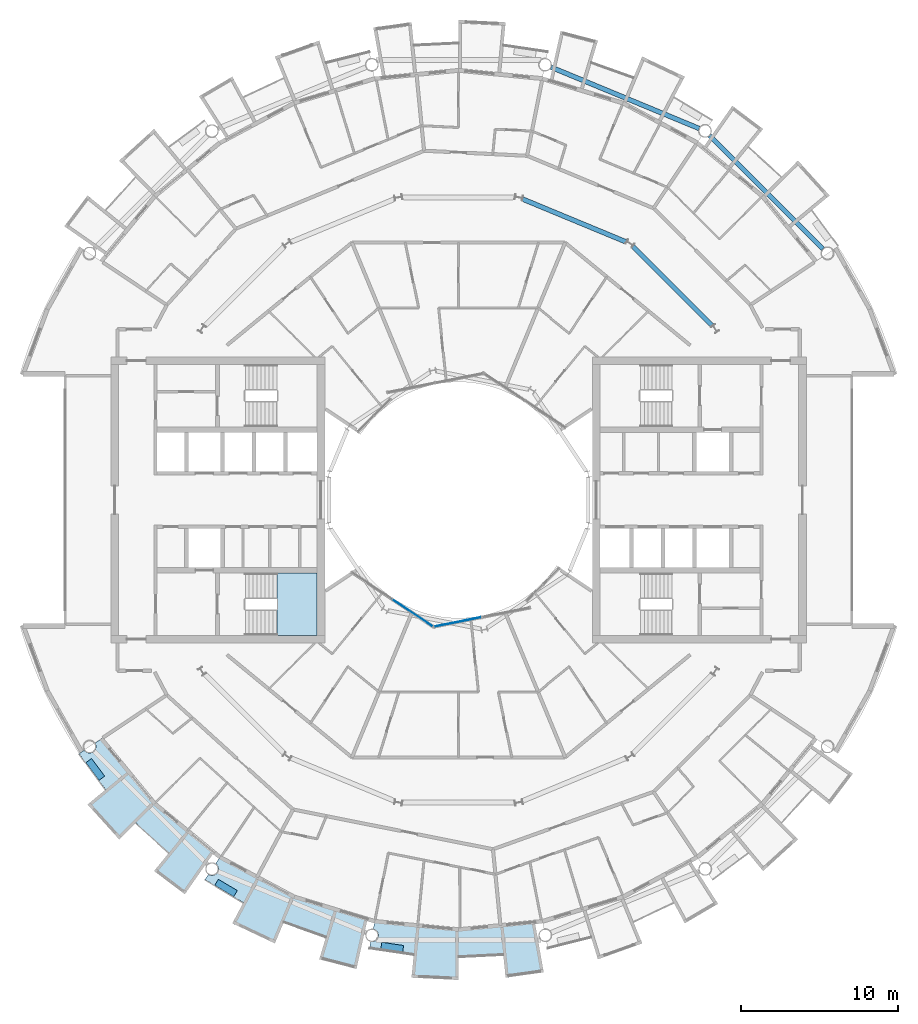
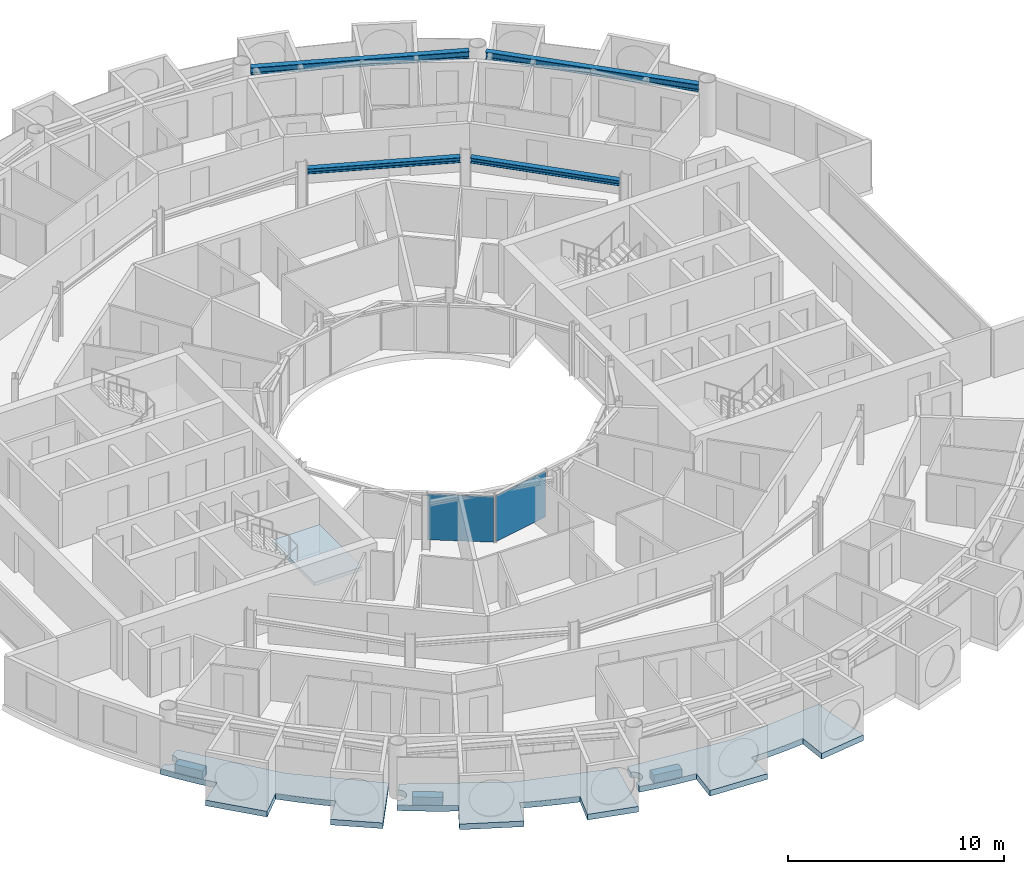
# One storey, part 10 of 28: 7 slabs, 4 beams, 2 plates, 3 elements without a shape of their own.
"""IFC4 building model written with IfcOpenShell, lengths in metres."""

from ifc_helpers import new_model, si_unit, direction, frame, origin, origin_2d, place, context, subcontext, project, spatial, polyline, rectangle, i_section, outline, extrude, material, layer, layer_set, material_profile, profile_set, type_object, element, aggregate, save


model = new_model("IFC4")

# Units and contexts
model_context = context("Model", 3, precision=1e-05, world=origin(), true_north=direction((0.0, 1.0)))
body_context = subcontext(model_context, "Body", "Model", "MODEL_VIEW")
ifc_project = project(units=[si_unit("LENGTHUNIT", "METRE"), si_unit("AREAUNIT", "SQUARE_METRE"), si_unit("VOLUMEUNIT", "CUBIC_METRE"), si_unit("PLANEANGLEUNIT", "RADIAN"), si_unit("MASSUNIT", "GRAM", prefix="KILO")], contexts=[model_context])

# Site, building, storey
site_placement = place(None, origin())
site = spatial("IfcSite", under=ifc_project, at=site_placement, CompositionType="ELEMENT")
building_placement = place(site_placement, origin())
building = spatial("IfcBuilding", under=site, at=building_placement, Name="Maasbend Ring Residences", CompositionType="ELEMENT")
storey_placement = place(building_placement, frame((0.0, 0.0, 173.800048828125)))
storey = spatial("IfcBuildingStorey", under=building, at=storey_placement, Name="L50", CompositionType="ELEMENT", Elevation=173.800048828125)

# Beams
ifc_material_1 = material(Name="Steel S355J2", Category="steel")
ifc_material_profile_1 = material_profile(ifc_material_1, i_section(OverallWidth=0.300048828125, OverallDepth=0.2900390625, WebThickness=0.008544921875, FlangeThickness=0.013916015625, FilletRadius=0.027099609375, at=origin_2d()), Name="HEA 300")
ifc_profile_set_1 = profile_set([ifc_material_profile_1], Name="Steel S355J2")
beam_type_1 = type_object("IfcBeamType", Name="Corridor ring beam HEA 300", PredefinedType="BEAM", material=ifc_profile_set_1)
for number, where, z_axis, x_axis, name in (
    (1, (16.11669921875, 11.0693359375, 2.554931640625), (-0.707106781187, 0.707106781187, 0.0), (-0.707106781187, -0.707106781187, 0.0), "Corridor ring beam"),
    (2, (10.65380859375, 16.394287109375, 2.554931640625), (-0.923871339849, 0.382703210602, 0.0), (-0.382703210602, -0.923871339849, 0.0), "Corridor ring beam"),
):
    element("IfcBeam", number, at=place(storey_placement, frame(where, z_axis=z_axis, x_axis=x_axis)), inside=storey, type_object=beam_type_1, Name=name, PredefinedType="BEAM", context=body_context, shape_type="SweptSolid", body=[
        extrude(i_section(OverallWidth=0.300048828125, OverallDepth=0.2900390625, WebThickness=0.008544921875, FlangeThickness=0.013916015625, FilletRadius=0.027099609375, at=origin_2d()), origin(), (0.0, 0.0, 1.0), 7.137939453125),
    ])
ifc_material_2 = material(Name="Steel S355J2", Category="steel")
ifc_material_profile_2 = material_profile(ifc_material_2, i_section(OverallWidth=0.300048828125, OverallDepth=0.39990234375, WebThickness=0.013427734375, FlangeThickness=0.02392578125, FilletRadius=0.027099609375, at=origin_2d()), Name="HEB 400")
ifc_profile_set_2 = profile_set([ifc_material_profile_2], Name="Steel S355J2")
beam_type_2 = type_object("IfcBeamType", Name="Spandrel ring beam HEB 400", PredefinedType="SPANDREL", material=ifc_profile_set_2)
for number, where, z_axis, x_axis, name in (
    (3, (23.159912109375, 15.95458984375, 2.5), (-0.707106781187, 0.707106781187, 0.0), (-0.707106781187, -0.707106781187, 0.0), "Spandrel ring beam"),
    (4, (15.29150390625, 23.60302734375, 2.5), (-0.923883676188, 0.382673428492, 0.0), (-0.382673428492, -0.923883676188, 0.0), "Spandrel ring beam"),
):
    element("IfcBeam", number, at=place(storey_placement, frame(where, z_axis=z_axis, x_axis=x_axis)), inside=storey, type_object=beam_type_2, Name=name, PredefinedType="SPANDREL", context=body_context, shape_type="SweptSolid", body=[
        extrude(i_section(OverallWidth=0.300048828125, OverallDepth=0.39990234375, WebThickness=0.013427734375, FlangeThickness=0.02392578125, FilletRadius=0.027099609375, at=origin_2d()), origin(), (0.0, 0.0, 1.0), 10.18994140625),
    ])

# Stair, slab
ifc_material_3 = material(Name="Concrete C40/50", Category="concrete")
stair_type = type_object("IfcStairType", Name="CORE STAIR 18 RISERS", PredefinedType="HALF_TURN_STAIR", material=ifc_material_3)
stair_placement = place(storey_placement, origin())
stair = element("IfcStair", 5, at=stair_placement, inside=storey, type_object=stair_type, Name="L50 Exit stair ST-W1", PredefinedType="HALF_TURN_STAIR")
ifc_material_4 = material(Name="Concrete C40/50", Category="concrete")
ifc_layer_1 = layer(ifc_material_4, 0.199951171875)
ifc_layer_set_1 = layer_set([ifc_layer_1], Name="Concrete C40/50")
slab_type_1 = type_object("IfcSlabType", Name="CORE STAIR LANDING 200", PredefinedType="LANDING", material=ifc_layer_set_1)
slab_1_placement = place(storey_placement, frame((0.0, 0.0, 1.324951171875)))
slab_1 = element("IfcSlab", 6, at=slab_1_placement, type_object=slab_type_1, Name="ST-W1 landing 1", PredefinedType="LANDING", context=body_context, shape_type="SweptSolid", body=[
    extrude(outline(polyline([(-11.550048828125, -8.60009765625), (-9.0, -8.60009765625), (-9.0, -4.64990234375), (-11.550048828125, -4.64990234375), (-11.550048828125, -8.60009765625)])), origin(), (0.0, 0.0, 1.0), 0.199951171875),
])
aggregate(stair, [slab_1])

# Curtain wall, plate
ifc_material_5 = material(Name="Aluminium and clear glass", Category="aluminium")
ifc_layer_2 = layer(ifc_material_5, 0.179931640625)
ifc_layer_set_2 = layer_set([ifc_layer_2], Name="CW-W")
curtain_wall_type = type_object("IfcCurtainWallType", Name="CW-W", PredefinedType="NOTDEFINED", material=ifc_layer_set_2)
curtain_wall_1_placement = place(storey_placement, origin())
curtain_wall_1 = element("IfcCurtainWall", 7, at=curtain_wall_1_placement, inside=storey, type_object=curtain_wall_type, Name="Well curtain wall S1", PredefinedType="NOTDEFINED")
ifc_material_6 = material(Name="Glass clear laminated", Category="glass")
ifc_layer_3 = layer(ifc_material_6, 0.031982421875)
ifc_layer_set_3 = layer_set([ifc_layer_3], Name="CWP-W")
plate_type = type_object("IfcPlateType", Name="CWP-W", PredefinedType="CURTAIN_PANEL", material=ifc_layer_set_3)
plate_1_placement = place(storey_placement, frame((-2.922119140625, -7.17578125, 0.0), z_axis=(0.0, 0.0, 1.0), x_axis=(0.831469612303, -0.55557023302, 0.0)))
plate_1 = element("IfcPlate", 8, at=plate_1_placement, type_object=plate_type, Name="Glass panel well face", PredefinedType="CURTAIN_PANEL", context=body_context, shape_type="SweptSolid", body=[
    extrude(rectangle(XDim=3.053955078125, YDim=0.031982421875, at=origin_2d()), origin(), (0.0, 0.0, 1.0), 2.580078125),
])
aggregate(curtain_wall_1, [plate_1])

curtain_wall_2_placement = place(storey_placement, origin())
curtain_wall_2 = element("IfcCurtainWall", 9, at=curtain_wall_2_placement, inside=storey, type_object=curtain_wall_type, Name="Well curtain wall S2", PredefinedType="NOTDEFINED")
plate_2_placement = place(storey_placement, frame((-0.04638671875, -7.747802734375, 0.0), z_axis=(0.0, 0.0, 1.0), x_axis=(0.980785280403, 0.195090322016, 0.0)))
plate_2 = element("IfcPlate", 10, at=plate_2_placement, type_object=plate_type, Name="Glass panel well face", PredefinedType="CURTAIN_PANEL", context=body_context, shape_type="SweptSolid", body=[
    extrude(rectangle(XDim=3.053955078125, YDim=0.031982421875, at=origin_2d()), origin(), (0.0, 0.0, 1.0), 2.580078125),
])
aggregate(curtain_wall_2, [plate_2])

# Slabs
ifc_material_7 = material(Name="Planting with climbing greenery")
ifc_layer_4 = layer(ifc_material_7, 0.449951171875)
ifc_layer_set_4 = layer_set([ifc_layer_4], Name="PLANTER-LG")
slab_type_2 = type_object("IfcSlabType", Name="PLANTER-LG", PredefinedType="USERDEFINED", material=ifc_layer_set_4)
slab_2_placement = place(storey_placement, frame((0.0, 0.0, -0.030029296875)))
element("IfcSlab", 11, at=slab_2_placement, inside=storey, type_object=slab_type_2, Name="Planter with climbing greenery 1", ObjectType="PLANTER", PredefinedType="USERDEFINED", context=body_context, shape_type="SweptSolid", body=[
    extrude(outline(polyline([(-23.681884765625, -16.69189453125), (-22.847900390625, -17.81689453125), (-22.487060546875, -17.549072265625), (-23.321044921875, -16.424072265625), (-23.681884765625, -16.69189453125)])), origin(), (0.0, 0.0, 1.0), 0.449951171875),
])
slab_3_placement = place(storey_placement, frame((0.0, 0.0, -0.030029296875)))
element("IfcSlab", 12, at=slab_3_placement, inside=storey, type_object=slab_type_2, Name="Planter with climbing greenery 2", ObjectType="PLANTER", PredefinedType="USERDEFINED", context=body_context, shape_type="SweptSolid", body=[
    extrude(outline(polyline([(-15.490966796875, -24.48388671875), (-14.291015625, -25.2041015625), (-14.05908203125, -24.818115234375), (-15.260009765625, -24.097900390625), (-15.490966796875, -24.48388671875)])), origin(), (0.0, 0.0, 1.0), 0.449951171875),
])
slab_4_placement = place(storey_placement, frame((0.0, 0.0, -0.030029296875)))
element("IfcSlab", 13, at=slab_4_placement, inside=storey, type_object=slab_type_2, Name="Planter with climbing greenery 3", ObjectType="PLANTER", PredefinedType="USERDEFINED", context=body_context, shape_type="SweptSolid", body=[
    extrude(outline(polyline([(-4.94189453125, -28.549072265625), (-3.55810546875, -28.75390625), (-3.491943359375, -28.30908203125), (-4.8759765625, -28.10400390625), (-4.94189453125, -28.549072265625)])), origin(), (0.0, 0.0, 1.0), 0.449951171875),
])
ifc_material_8 = material(Name="Concrete C40/50", Category="concrete")
ifc_layer_5 = layer(ifc_material_8, 0.199951171875)
ifc_layer_set_5 = layer_set([ifc_layer_5], Name="Concrete C40/50")
slab_type_3 = type_object("IfcSlabType", Name="SL-LOGGIA", PredefinedType="FLOOR", material=ifc_layer_set_5)
slab_5_placement = place(storey_placement, frame((0.0, 0.0, -0.35009765625)))
element("IfcSlab", 14, at=slab_5_placement, inside=storey, type_object=slab_type_3, Name="Loggia floor 1", PredefinedType="FLOOR", context=body_context, shape_type="SweptSolid", body=[
    extrude(outline(polyline([(-15.866943359375, -23.801025390625), (-15.85888671875, -23.805908203125), (-15.85009765625, -23.81005859375), (-15.841064453125, -23.81494140625), (-15.83203125, -23.819091796875), (-15.822998046875, -23.822998046875), (-15.81298828125, -23.826904296875), (-15.803955078125, -23.830078125), (-15.794921875, -23.8330078125), (-15.784912109375, -23.8359375), (-15.77587890625, -23.839111328125), (-15.76611328125, -23.842041015625), (-15.756103515625, -23.843994140625), (-15.74609375, -23.845947265625), (-15.737060546875, -23.847900390625), (-15.72705078125, -23.85009765625), (-15.717041015625, -23.85107421875), (-15.70703125, -23.85205078125), (-15.697021484375, -23.85302734375), (-15.68701171875, -23.85302734375), (-15.677001953125, -23.85400390625), (-15.6669921875, -23.85400390625), (-15.656982421875, -23.85400390625), (-15.64697265625, -23.85302734375), (-15.636962890625, -23.85302734375), (-15.626953125, -23.85205078125), (-15.616943359375, -23.85107421875), (-15.60693359375, -23.85009765625), (-15.597900390625, -23.847900390625), (-15.587890625, -23.845947265625), (-15.577880859375, -23.843994140625), (-15.568115234375, -23.842041015625), (-15.55908203125, -23.839111328125), (-15.549072265625, -23.8359375), (-15.5400390625, -23.8330078125), (-15.530029296875, -23.830078125), (-15.52099609375, -23.826904296875), (-15.511962890625, -23.822998046875), (-15.501953125, -23.819091796875), (-15.492919921875, -23.81494140625), (-15.48388671875, -23.81005859375), (-15.47509765625, -23.805908203125), (-15.467041015625, -23.801025390625), (-15.4580078125, -23.7958984375), (-15.449951171875, -23.791015625), (-15.44091796875, -23.784912109375), (-15.43310546875, -23.780029296875), (-15.425048828125, -23.77392578125), (-15.4169921875, -23.76806640625), (-15.408935546875, -23.761962890625), (-15.402099609375, -23.7548828125), (-15.39404296875, -23.7490234375), (-15.386962890625, -23.741943359375), (-15.3798828125, -23.735107421875), (-15.373046875, -23.72802734375), (-15.365966796875, -23.719970703125), (-15.35888671875, -23.712890625), (-15.35302734375, -23.705078125), (-15.346923828125, -23.697021484375), (-15.341064453125, -23.68994140625), (-15.3349609375, -23.680908203125), (-15.3291015625, -23.673095703125), (-15.323974609375, -23.6650390625), (-15.318115234375, -23.656005859375), (-15.31298828125, -23.64794921875), (-15.30908203125, -23.638916015625), (-15.303955078125, -23.6298828125), (-15.300048828125, -23.62109375), (-15.294921875, -23.612060546875), (-15.2919921875, -23.60302734375), (-15.2880859375, -23.593994140625), (-15.283935546875, -23.583984375), (-15.281005859375, -23.574951171875), (-15.278076171875, -23.56494140625), (-15.27490234375, -23.555908203125), (-15.27294921875, -23.5458984375), (-15.27001953125, -23.535888671875), (-15.26806640625, -23.527099609375), (-15.26708984375, -23.51708984375), (-15.264892578125, -23.507080078125), (-15.263916015625, -23.4970703125), (-15.262939453125, -23.487060546875), (-15.261962890625, -23.47705078125), (-15.260986328125, -23.467041015625), (-15.260986328125, -23.45703125), (-15.260986328125, -23.447021484375), (-15.260986328125, -23.43701171875), (-15.260986328125, -23.427001953125), (-15.261962890625, -23.4169921875), (-15.262939453125, -23.407958984375), (-15.263916015625, -23.39794921875), (-15.264892578125, -23.387939453125), (-15.26708984375, -23.3779296875), (-15.26806640625, -23.367919921875), (-15.27001953125, -23.35791015625), (-15.27294921875, -23.34912109375), (-15.27490234375, -23.339111328125), (-15.278076171875, -23.3291015625), (-15.281005859375, -23.320068359375), (-15.283935546875, -23.31005859375), (-15.2880859375, -23.301025390625), (-15.2919921875, -23.2919921875), (-15.294921875, -23.282958984375), (-15.300048828125, -23.27392578125), (-15.303955078125, -23.264892578125), (-15.30908203125, -23.256103515625), (-15.31298828125, -23.2470703125), (-15.318115234375, -23.238037109375), (-15.323974609375, -23.22998046875), (-15.3291015625, -23.221923828125), (-15.3349609375, -23.212890625), (-15.341064453125, -23.205078125), (-15.346923828125, -23.197021484375), (-15.35302734375, -23.18994140625), (-15.35888671875, -23.181884765625), (-15.365966796875, -23.174072265625), (-15.373046875, -23.1669921875), (-15.3798828125, -23.159912109375), (-15.386962890625, -23.153076171875), (-15.39404296875, -23.14599609375), (-15.402099609375, -23.139892578125), (-15.408935546875, -23.133056640625), (-15.4169921875, -23.126953125), (-15.425048828125, -23.12109375), (-15.43310546875, -23.114990234375), (-15.44091796875, -23.10888671875), (-15.1669921875, -22.698974609375), (-15.1669921875, -22.698974609375), (-15.1669921875, -22.698974609375), (-12.806884765625, -23.9609375), (-10.447021484375, -25.221923828125), (-10.447021484375, -25.221923828125), (-10.447021484375, -25.221923828125), (-7.886962890625, -25.9990234375), (-5.797119140625, -26.633056640625), (-5.797119140625, -26.633056640625), (-5.797119140625, -26.633056640625), (-6.487060546875, -29.802001953125), (-6.487060546875, -29.802001953125), (-6.487060546875, -29.802001953125), (-8.85400390625, -29.18701171875), (-8.85400390625, -29.18701171875), (-8.85400390625, -29.18701171875), (-8.41796875, -27.751953125), (-8.41796875, -27.751953125), (-8.41796875, -27.751953125), (-8.41796875, -27.751953125), (-8.41796875, -27.751953125), (-8.41796875, -27.751953125), (-8.41796875, -27.7509765625), (-8.41796875, -27.7509765625), (-8.41796875, -27.7509765625), (-8.41796875, -27.7509765625), (-8.41796875, -27.7509765625), (-8.4189453125, -27.7509765625), (-8.4189453125, -27.7509765625), (-8.4189453125, -27.7509765625), (-8.4189453125, -27.7509765625), (-8.4189453125, -27.7509765625), (-8.4189453125, -27.7509765625), (-9.322021484375, -27.4609375), (-9.322021484375, -27.4609375), (-10.215087890625, -27.14111328125), (-10.215087890625, -27.14111328125), (-11.096923828125, -26.79296875), (-11.096923828125, -26.79296875), (-11.096923828125, -26.79296875), (-11.097900390625, -26.79296875), (-11.097900390625, -26.79296875), (-11.097900390625, -26.79296875), (-11.097900390625, -26.79296875), (-11.097900390625, -26.79296875), (-11.097900390625, -26.79296875), (-11.097900390625, -26.79296875), (-11.097900390625, -26.79296875), (-11.097900390625, -26.79296875), (-11.097900390625, -26.79296875), (-11.097900390625, -26.79296875), (-11.097900390625, -26.79296875), (-11.097900390625, -26.79296875), (-11.097900390625, -26.79296875), (-11.672119140625, -28.177978515625), (-11.672119140625, -28.177978515625), (-11.672119140625, -28.177978515625), (-14.3779296875, -26.89892578125), (-14.3779296875, -26.89892578125), (-14.3779296875, -26.89892578125), (-13.6708984375, -25.575927734375), (-13.6708984375, -25.575927734375), (-13.6708984375, -25.575927734375), (-13.6708984375, -25.575927734375), (-13.6708984375, -25.575927734375), (-13.6708984375, -25.575927734375), (-13.6708984375, -25.575927734375), (-13.6708984375, -25.575927734375), (-13.6708984375, -25.575927734375), (-13.6708984375, -25.575927734375), (-13.6708984375, -25.575927734375), (-13.6708984375, -25.575927734375), (-13.6708984375, -25.575927734375), (-13.6708984375, -25.575927734375), (-13.6708984375, -25.575927734375), (-13.6708984375, -25.575927734375), (-13.6708984375, -25.574951171875), (-14.5, -25.114990234375), (-14.5, -25.114990234375), (-15.31396484375, -24.626953125), (-15.31396484375, -24.626953125), (-16.112060546875, -24.113037109375), (-16.112060546875, -24.113037109375), (-16.112060546875, -24.113037109375), (-15.89306640625, -23.784912109375), (-15.885009765625, -23.791015625), (-15.8759765625, -23.7958984375), (-15.866943359375, -23.801025390625)])), origin(), (0.0, 0.0, 1.0), 0.320068359375),
])
slab_6_placement = place(storey_placement, frame((0.0, 0.0, -0.35009765625)))
element("IfcSlab", 15, at=slab_6_placement, inside=storey, type_object=slab_type_3, Name="Loggia floor 3", PredefinedType="FLOOR", context=body_context, shape_type="SweptSolid", body=[
    extrude(outline(polyline([(-2.6630859375, -27.0380859375), (0.0, -27.300048828125), (0.0, -27.300048828125), (0.0, -27.300048828125), (2.6630859375, -27.0380859375), (4.8359375, -26.823974609375), (4.8359375, -26.823974609375), (4.8359375, -26.823974609375), (5.412109375, -30.01611328125), (5.412109375, -30.01611328125), (5.412109375, -30.01611328125), (2.989990234375, -30.35302734375), (2.989990234375, -30.35302734375), (2.989990234375, -30.35302734375), (2.843017578125, -28.861083984375), (2.843017578125, -28.861083984375), (2.843017578125, -28.861083984375), (2.843017578125, -28.861083984375), (2.842041015625, -28.861083984375), (2.842041015625, -28.861083984375), (2.842041015625, -28.861083984375), (2.842041015625, -28.861083984375), (2.842041015625, -28.861083984375), (2.842041015625, -28.860107421875), (2.842041015625, -28.860107421875), (2.842041015625, -28.860107421875), (2.842041015625, -28.860107421875), (2.842041015625, -28.860107421875), (2.842041015625, -28.860107421875), (2.842041015625, -28.860107421875), (2.842041015625, -28.860107421875), (1.89697265625, -28.93798828125), (1.89697265625, -28.93798828125), (0.948974609375, -28.98388671875), (0.948974609375, -28.98388671875), (0.0, -29.0), (0.0, -29.0), (0.0, -29.0), (0.0, -29.0), (0.0, -29.0), (0.0, -29.0), (0.0, -29.0), (0.0, -29.0), (0.0, -29.0), (0.0, -29.0), (0.0, -29.0), (0.0, -29.0), (0.0, -29.0), (0.0, -29.0), (0.0, -29.0), (0.0, -29.0), (0.0, -29.0), (0.0, -30.5), (0.0, -30.5), (0.0, -30.5), (-2.989990234375, -30.35302734375), (-2.989990234375, -30.35302734375), (-2.989990234375, -30.35302734375), (-2.843017578125, -28.861083984375), (-2.843017578125, -28.861083984375), (-2.843017578125, -28.861083984375), (-2.843017578125, -28.861083984375), (-2.843017578125, -28.861083984375), (-2.843017578125, -28.861083984375), (-2.843017578125, -28.861083984375), (-2.843017578125, -28.861083984375), (-2.843017578125, -28.860107421875), (-2.843017578125, -28.860107421875), (-2.843017578125, -28.860107421875), (-2.843017578125, -28.860107421875), (-2.843017578125, -28.860107421875), (-2.843017578125, -28.860107421875), (-2.843017578125, -28.860107421875), (-2.843017578125, -28.860107421875), (-2.843017578125, -28.860107421875), (-3.784912109375, -28.751953125), (-3.784912109375, -28.751953125), (-4.72412109375, -28.613037109375), (-4.72412109375, -28.613037109375), (-5.657958984375, -28.443115234375), (-5.657958984375, -28.443115234375), (-5.657958984375, -28.443115234375), (-5.5810546875, -28.056884765625), (-5.5810546875, -28.056884765625), (-5.571044921875, -28.05908203125), (-5.56103515625, -28.06005859375), (-5.551025390625, -28.06201171875), (-5.541015625, -28.06298828125), (-5.531005859375, -28.06298828125), (-5.52099609375, -28.06396484375), (-5.510986328125, -28.06396484375), (-5.501953125, -28.06494140625), (-5.491943359375, -28.06396484375), (-5.48193359375, -28.06396484375), (-5.471923828125, -28.06298828125), (-5.4619140625, -28.06298828125), (-5.451904296875, -28.06201171875), (-5.44189453125, -28.06005859375), (-5.431884765625, -28.05908203125), (-5.422119140625, -28.056884765625), (-5.412109375, -28.054931640625), (-5.403076171875, -28.052001953125), (-5.39306640625, -28.050048828125), (-5.383056640625, -28.047119140625), (-5.3740234375, -28.0439453125), (-5.364990234375, -28.041015625), (-5.35498046875, -28.037109375), (-5.345947265625, -28.033935546875), (-5.3369140625, -28.030029296875), (-5.327880859375, -28.02587890625), (-5.319091796875, -28.02099609375), (-5.31005859375, -28.01708984375), (-5.301025390625, -28.011962890625), (-5.29296875, -28.007080078125), (-5.283935546875, -28.001953125), (-5.27587890625, -27.99609375), (-5.26708984375, -27.989990234375), (-5.259033203125, -27.985107421875), (-5.2509765625, -27.97900390625), (-5.243896484375, -27.971923828125), (-5.236083984375, -27.966064453125), (-5.22900390625, -27.958984375), (-5.220947265625, -27.952880859375), (-5.214111328125, -27.946044921875), (-5.20703125, -27.93798828125), (-5.199951171875, -27.930908203125), (-5.194091796875, -27.924072265625), (-5.18701171875, -27.916015625), (-5.180908203125, -27.907958984375), (-5.175048828125, -27.89990234375), (-5.1689453125, -27.89208984375), (-5.1640625, -27.884033203125), (-5.157958984375, -27.8759765625), (-5.153076171875, -27.866943359375), (-5.14794921875, -27.85791015625), (-5.14306640625, -27.85009765625), (-5.137939453125, -27.841064453125), (-5.134033203125, -27.83203125), (-5.1298828125, -27.822998046875), (-5.1259765625, -27.81396484375), (-5.1220703125, -27.803955078125), (-5.118896484375, -27.794921875), (-5.115966796875, -27.785888671875), (-5.113037109375, -27.77587890625), (-5.110107421875, -27.76708984375), (-5.10693359375, -27.757080078125), (-5.10498046875, -27.7470703125), (-5.10302734375, -27.737060546875), (-5.10107421875, -27.72802734375), (-5.09912109375, -27.718017578125), (-5.097900390625, -27.7080078125), (-5.096923828125, -27.697998046875), (-5.095947265625, -27.68798828125), (-5.094970703125, -27.677978515625), (-5.094970703125, -27.66796875), (-5.094970703125, -27.657958984375), (-5.094970703125, -27.64794921875), (-5.094970703125, -27.637939453125), (-5.095947265625, -27.6279296875), (-5.096923828125, -27.617919921875), (-5.097900390625, -27.60791015625), (-5.09912109375, -27.597900390625), (-5.10107421875, -27.589111328125), (-5.10302734375, -27.5791015625), (-5.10498046875, -27.569091796875), (-5.10693359375, -27.55908203125), (-5.110107421875, -27.550048828125), (-5.113037109375, -27.5400390625), (-5.115966796875, -27.531005859375), (-5.118896484375, -27.52099609375), (-5.1220703125, -27.511962890625), (-5.1259765625, -27.5029296875), (-5.1298828125, -27.492919921875), (-5.134033203125, -27.48388671875), (-5.137939453125, -27.47509765625), (-5.14306640625, -27.466064453125), (-5.14794921875, -27.4580078125), (-5.153076171875, -27.448974609375), (-5.157958984375, -27.44091796875), (-5.1640625, -27.431884765625), (-5.1689453125, -27.424072265625), (-5.175048828125, -27.416015625), (-5.180908203125, -27.407958984375), (-5.18701171875, -27.39990234375), (-5.194091796875, -27.39306640625), (-5.199951171875, -27.385009765625), (-5.20703125, -27.3779296875), (-5.214111328125, -27.37109375), (-5.220947265625, -27.364013671875), (-5.22900390625, -27.35693359375), (-5.236083984375, -27.35009765625), (-5.243896484375, -27.343994140625), (-5.2509765625, -27.337890625), (-5.259033203125, -27.33203125), (-5.26708984375, -27.325927734375), (-5.27587890625, -27.320068359375), (-5.283935546875, -27.31494140625), (-5.29296875, -27.30908203125), (-5.301025390625, -27.303955078125), (-5.31005859375, -27.300048828125), (-5.319091796875, -27.294921875), (-5.327880859375, -27.291015625), (-5.3369140625, -27.285888671875), (-5.345947265625, -27.282958984375), (-5.35498046875, -27.279052734375), (-5.364990234375, -27.27490234375), (-5.3740234375, -27.27197265625), (-5.383056640625, -27.26904296875), (-5.39306640625, -27.26611328125), (-5.403076171875, -27.263916015625), (-5.412109375, -27.260986328125), (-5.422119140625, -27.259033203125), (-5.422119140625, -27.259033203125), (-5.325927734375, -26.77490234375), (-5.325927734375, -26.77490234375), (-5.325927734375, -26.77490234375), (-2.6630859375, -27.0380859375)])), origin(), (0.0, 0.0, 1.0), 0.320068359375),
])
slab_7_placement = place(storey_placement, frame((0.0, 0.0, -0.35009765625)))
element("IfcSlab", 16, at=slab_7_placement, inside=storey, type_object=slab_type_3, Name="Loggia floor 4", PredefinedType="FLOOR", context=body_context, shape_type="SweptSolid", body=[
    extrude(outline(polyline([(-23.77392578125, -15.908935546875), (-23.76806640625, -15.9169921875), (-23.761962890625, -15.925048828125), (-23.7548828125, -15.93310546875), (-23.7490234375, -15.93994140625), (-23.741943359375, -15.947021484375), (-23.735107421875, -15.955078125), (-23.72802734375, -15.9619140625), (-23.719970703125, -15.968017578125), (-23.712890625, -15.97509765625), (-23.705078125, -15.98095703125), (-23.697021484375, -15.988037109375), (-23.68994140625, -15.993896484375), (-23.680908203125, -15.9990234375), (-23.673095703125, -16.0048828125), (-23.6650390625, -16.010986328125), (-23.656005859375, -16.01611328125), (-23.64794921875, -16.02099609375), (-23.638916015625, -16.02587890625), (-23.6298828125, -16.030029296875), (-23.62109375, -16.034912109375), (-23.612060546875, -16.0390625), (-23.60302734375, -16.04296875), (-23.593994140625, -16.0458984375), (-23.583984375, -16.050048828125), (-23.574951171875, -16.052978515625), (-23.56494140625, -16.055908203125), (-23.555908203125, -16.05908203125), (-23.5458984375, -16.06103515625), (-23.535888671875, -16.06396484375), (-23.527099609375, -16.06591796875), (-23.51708984375, -16.068115234375), (-23.507080078125, -16.069091796875), (-23.4970703125, -16.071044921875), (-23.487060546875, -16.072021484375), (-23.47705078125, -16.072021484375), (-23.467041015625, -16.072998046875), (-23.45703125, -16.072998046875), (-23.447021484375, -16.073974609375), (-23.43701171875, -16.072998046875), (-23.427001953125, -16.072998046875), (-23.4169921875, -16.072021484375), (-23.407958984375, -16.072021484375), (-23.39794921875, -16.071044921875), (-23.387939453125, -16.069091796875), (-23.3779296875, -16.068115234375), (-23.367919921875, -16.06591796875), (-23.35791015625, -16.06396484375), (-23.34912109375, -16.06103515625), (-23.339111328125, -16.05908203125), (-23.3291015625, -16.055908203125), (-23.320068359375, -16.052978515625), (-23.31005859375, -16.050048828125), (-23.301025390625, -16.0458984375), (-23.2919921875, -16.04296875), (-23.282958984375, -16.0390625), (-23.27392578125, -16.034912109375), (-23.264892578125, -16.030029296875), (-23.256103515625, -16.02587890625), (-23.2470703125, -16.02099609375), (-23.238037109375, -16.01611328125), (-23.22998046875, -16.010986328125), (-23.221923828125, -16.0048828125), (-23.212890625, -15.9990234375), (-23.205078125, -15.993896484375), (-23.197021484375, -15.988037109375), (-23.18994140625, -15.98095703125), (-23.181884765625, -15.97509765625), (-23.174072265625, -15.968017578125), (-23.1669921875, -15.9619140625), (-23.159912109375, -15.955078125), (-23.153076171875, -15.947021484375), (-23.14599609375, -15.93994140625), (-23.139892578125, -15.93310546875), (-23.133056640625, -15.925048828125), (-23.126953125, -15.9169921875), (-23.12109375, -15.908935546875), (-23.114990234375, -15.90087890625), (-23.10888671875, -15.89306640625), (-23.10400390625, -15.885009765625), (-23.09912109375, -15.8759765625), (-23.093994140625, -15.866943359375), (-23.089111328125, -15.85888671875), (-23.083984375, -15.85009765625), (-23.080078125, -15.841064453125), (-23.075927734375, -15.83203125), (-23.072021484375, -15.822998046875), (-23.068115234375, -15.81298828125), (-23.06494140625, -15.803955078125), (-23.06103515625, -15.794921875), (-23.05810546875, -15.784912109375), (-23.055908203125, -15.77587890625), (-23.052978515625, -15.76611328125), (-23.051025390625, -15.756103515625), (-23.049072265625, -15.74609375), (-23.047119140625, -15.737060546875), (-23.044921875, -15.72705078125), (-23.0439453125, -15.717041015625), (-23.04296875, -15.70703125), (-23.0419921875, -15.697021484375), (-23.041015625, -15.68701171875), (-23.041015625, -15.677001953125), (-23.041015625, -15.6669921875), (-23.041015625, -15.656982421875), (-23.041015625, -15.64697265625), (-23.0419921875, -15.636962890625), (-23.04296875, -15.626953125), (-23.0439453125, -15.616943359375), (-23.044921875, -15.60693359375), (-23.047119140625, -15.597900390625), (-23.049072265625, -15.587890625), (-23.051025390625, -15.577880859375), (-23.052978515625, -15.568115234375), (-23.055908203125, -15.55908203125), (-23.05810546875, -15.549072265625), (-23.06103515625, -15.5400390625), (-23.06494140625, -15.530029296875), (-23.068115234375, -15.52099609375), (-23.072021484375, -15.511962890625), (-23.075927734375, -15.501953125), (-23.080078125, -15.492919921875), (-23.083984375, -15.48388671875), (-23.089111328125, -15.47509765625), (-23.093994140625, -15.467041015625), (-23.09912109375, -15.4580078125), (-23.10400390625, -15.449951171875), (-23.10888671875, -15.44091796875), (-23.10888671875, -15.44091796875), (-22.698974609375, -15.1669921875), (-22.698974609375, -15.1669921875), (-22.698974609375, -15.1669921875), (-21.001953125, -17.236083984375), (-19.303955078125, -19.303955078125), (-19.303955078125, -19.303955078125), (-19.303955078125, -19.303955078125), (-17.236083984375, -21.001953125), (-15.547119140625, -22.386962890625), (-15.547119140625, -22.386962890625), (-15.547119140625, -22.386962890625), (-17.39794921875, -25.051025390625), (-17.39794921875, -25.051025390625), (-17.39794921875, -25.051025390625), (-19.34912109375, -23.576904296875), (-19.34912109375, -23.576904296875), (-19.34912109375, -23.576904296875), (-18.39794921875, -22.41796875), (-18.39794921875, -22.41796875), (-18.39794921875, -22.41796875), (-18.39794921875, -22.41796875), (-18.39794921875, -22.41796875), (-18.39794921875, -22.4169921875), (-18.39794921875, -22.4169921875), (-18.39794921875, -22.4169921875), (-18.39794921875, -22.4169921875), (-18.39794921875, -22.4169921875), (-18.39794921875, -22.4169921875), (-18.39794921875, -22.4169921875), (-18.39794921875, -22.4169921875), (-18.39794921875, -22.4169921875), (-18.39794921875, -22.4169921875), (-18.39794921875, -22.4169921875), (-18.39794921875, -22.4169921875), (-19.12109375, -21.802978515625), (-19.12109375, -21.802978515625), (-19.823974609375, -21.166015625), (-19.823974609375, -21.166015625), (-20.506103515625, -20.506103515625), (-20.506103515625, -20.506103515625), (-20.506103515625, -20.506103515625), (-20.506103515625, -20.506103515625), (-20.506103515625, -20.506103515625), (-20.506103515625, -20.506103515625), (-20.506103515625, -20.506103515625), (-20.506103515625, -20.506103515625), (-20.506103515625, -20.506103515625), (-20.506103515625, -20.506103515625), (-20.506103515625, -20.506103515625), (-20.506103515625, -20.506103515625), (-20.506103515625, -20.506103515625), (-20.506103515625, -20.506103515625), (-20.506103515625, -20.506103515625), (-20.506103515625, -20.506103515625), (-20.506103515625, -20.506103515625), (-21.56689453125, -21.56689453125), (-21.56689453125, -21.56689453125), (-21.56689453125, -21.56689453125), (-23.576904296875, -19.34912109375), (-23.576904296875, -19.34912109375), (-23.576904296875, -19.34912109375), (-22.41796875, -18.39794921875), (-22.41796875, -18.39794921875), (-22.41796875, -18.39794921875), (-22.41796875, -18.39794921875), (-22.41796875, -18.39794921875), (-22.41796875, -18.39794921875), (-22.41796875, -18.39697265625), (-22.41796875, -18.39697265625), (-22.41796875, -18.39697265625), (-22.41796875, -18.39697265625), (-22.41796875, -18.39697265625), (-22.41796875, -18.39697265625), (-22.41796875, -18.39697265625), (-22.41796875, -18.39697265625), (-22.41796875, -18.39697265625), (-22.41796875, -18.39697265625), (-22.41796875, -18.39697265625), (-23.007080078125, -17.654052734375), (-23.007080078125, -17.654052734375), (-23.572998046875, -16.89208984375), (-23.572998046875, -16.89208984375), (-24.113037109375, -16.112060546875), (-24.113037109375, -16.112060546875), (-24.113037109375, -16.112060546875), (-23.784912109375, -15.89306640625), (-23.784912109375, -15.89306640625), (-23.780029296875, -15.90087890625), (-23.77392578125, -15.908935546875)])), origin(), (0.0, 0.0, 1.0), 0.320068359375),
])

save(model, "model.ifc")
